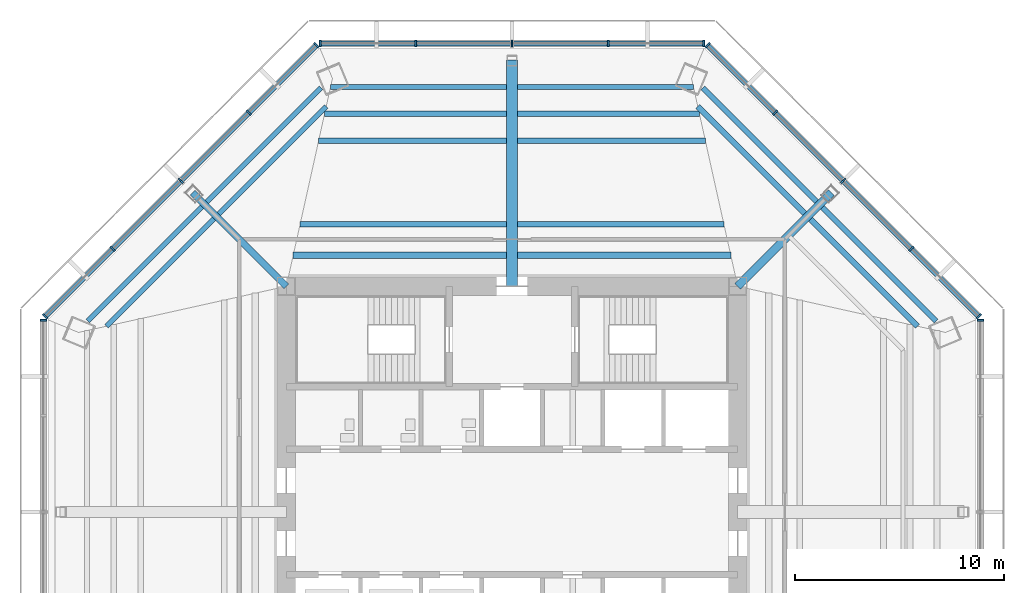
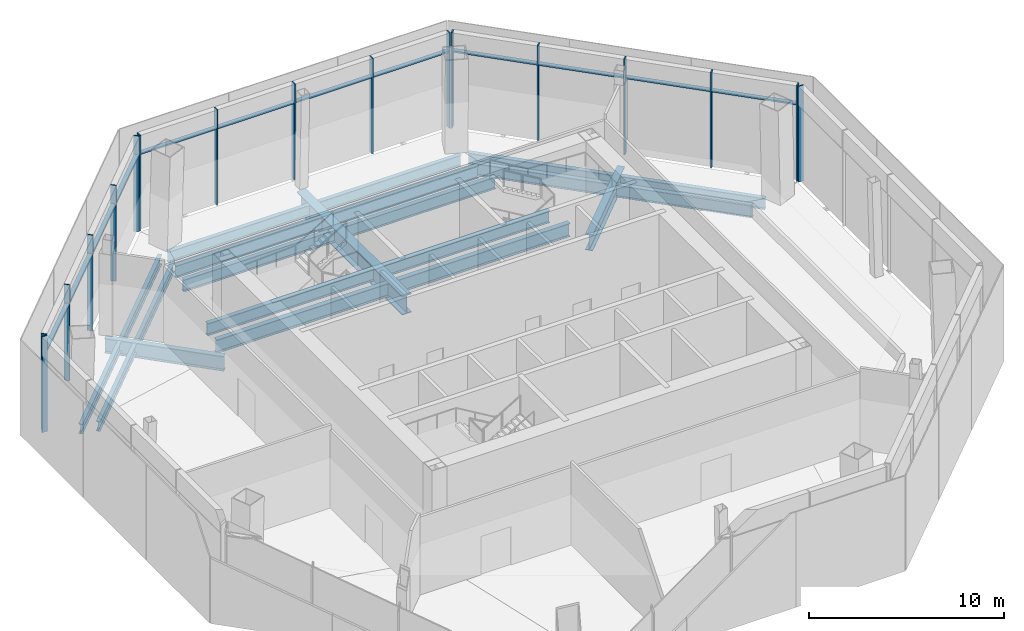
# One storey, part 4 of 13: 29 members, 21 beams, 5 elements without a shape of their own.
"""IFC4 building model written with IfcOpenShell, lengths in metres."""

from ifc_helpers import new_model, si_unit, direction, frame, origin, origin_2d, place, context, subcontext, project, spatial, rectangle, i_section, extrude, source, transform, mapped, material, material_profile, profile_set, type_object, type_shapes, element, aggregate, save


model = new_model("IFC4")

# Units and contexts
model_context = context("Model", 3, precision=1e-05, world=origin(), true_north=direction((0.0, 1.0)))
body_context = subcontext(model_context, "Body", "Model", "MODEL_VIEW")
ifc_project = project(units=[si_unit("LENGTHUNIT", "METRE"), si_unit("AREAUNIT", "SQUARE_METRE"), si_unit("VOLUMEUNIT", "CUBIC_METRE"), si_unit("PLANEANGLEUNIT", "RADIAN"), si_unit("MASSUNIT", "GRAM", prefix="KILO")], contexts=[model_context])

# Site, building, storey
site_placement = place(None, origin())
site = spatial("IfcSite", under=ifc_project, at=site_placement, CompositionType="ELEMENT")
building_placement = place(site_placement, origin())
building = spatial("IfcBuilding", under=site, at=building_placement, Name="Mashrafa Tower", CompositionType="ELEMENT")
storey_placement = place(building_placement, frame((0.0, 0.0, 198.0)))
storey = spatial("IfcBuildingStorey", under=building, at=storey_placement, Name="L45", CompositionType="ELEMENT", Elevation=198.0)

# Beams
ifc_material_1 = material(Name="Steel ASTM A572 Gr 50", Category="steel")
ifc_material_profile_1 = material_profile(ifc_material_1, i_section(OverallWidth=0.550048828125, OverallDepth=1.199951171875, WebThickness=0.02490234375, FlangeThickness=0.06005859375, at=origin_2d()), Name="H1200X550X25X60")
ifc_profile_set_1 = profile_set([ifc_material_profile_1], Name="Steel ASTM A572 Gr 50")
beam_type_1 = type_object("IfcBeamType", Name="Beam H1200X550X25X60", PredefinedType="BEAM", material=ifc_profile_set_1)
beam_1_placement = place(storey_placement, frame((0.0, 10.800048828125, -0.85009765625), z_axis=(0.0, 1.0, 0.0), x_axis=(-1.0, 0.0, 0.0)))
element("IfcBeam", 1, at=beam_1_placement, inside=storey, type_object=beam_type_1, Name="Radial girder L45 061", PredefinedType="BEAM", context=body_context, shape_type="SweptSolid", body=[
    extrude(i_section(OverallWidth=0.550048828125, OverallDepth=1.199951171875, WebThickness=0.02490234375, FlangeThickness=0.06005859375, at=origin_2d()), origin(), (0.0, 0.0, 1.0), 10.820556640625),
])
ifc_material_2 = material(Name="Steel ASTM A992", Category="steel")
ifc_material_profile_2 = material_profile(ifc_material_2, i_section(OverallWidth=0.228271484375, OverallDepth=0.607177734375, WebThickness=0.01123046875, FlangeThickness=0.017333984375, FilletRadius=0.0126953125, at=origin_2d()), Name="W24X76")
ifc_profile_set_2 = profile_set([ifc_material_profile_2], Name="Steel ASTM A992")
beam_type_2 = type_object("IfcBeamType", Name="Beam W24X76", PredefinedType="BEAM", material=ifc_profile_set_2)
for number, where, z_axis, x_axis, name in (
    (2, (-19.4072265625, 8.88818359375, -0.553466796875), (0.707090022918, 0.707123539058, 0.0), (-0.707123539058, 0.707090022918, 0.0), "Floor beam L45 004"),
    (3, (-14.0390625, 14.256591796875, -0.553466796875), (0.707123539058, 0.707090022918, 0.0), (-0.707090022918, 0.707123539058, 0.0), "Floor beam L45 012"),
):
    element("IfcBeam", number, at=place(storey_placement, frame(where, z_axis=z_axis, x_axis=x_axis)), inside=storey, type_object=beam_type_2, Name=name, PredefinedType="BEAM", context=body_context, shape_type="SweptSolid", body=[
        extrude(i_section(OverallWidth=0.228271484375, OverallDepth=0.607177734375, WebThickness=0.01123046875, FlangeThickness=0.017333984375, FilletRadius=0.0126953125, at=origin_2d()), origin(), (0.0, 0.0, 1.0), 7.2841796875),
    ])
ifc_material_3 = material(Name="Steel ASTM A992", Category="steel")
ifc_material_profile_3 = material_profile(ifc_material_3, i_section(OverallWidth=0.22900390625, OverallDepth=0.612060546875, WebThickness=0.011962890625, FlangeThickness=0.01953125, FilletRadius=0.0126953125, at=origin_2d()), Name="W24X84")
ifc_profile_set_3 = profile_set([ifc_material_profile_3], Name="Steel ASTM A992")
beam_type_3 = type_object("IfcBeamType", Name="Beam W24X84", PredefinedType="BEAM", material=ifc_profile_set_3)
for number, where, z_axis, x_axis, name in (
    (4, (-20.2958984375, 9.14013671875, -0.55615234375), (0.707122563587, 0.707090998434, 0.0), (-0.707090998434, 0.707122563587, 0.0), "Floor beam L45 003"),
    (5, (-14.609130859375, 14.82666015625, -0.55615234375), (0.707090998434, 0.707122563587, 0.0), (-0.707122563587, 0.707090998434, 0.0), "Floor beam L45 010"),
):
    element("IfcBeam", number, at=place(storey_placement, frame(where, z_axis=z_axis, x_axis=x_axis)), inside=storey, type_object=beam_type_3, Name=name, PredefinedType="BEAM", context=body_context, shape_type="SweptSolid", body=[
        extrude(i_section(OverallWidth=0.22900390625, OverallDepth=0.612060546875, WebThickness=0.011962890625, FlangeThickness=0.01953125, FilletRadius=0.0126953125, at=origin_2d()), origin(), (0.0, 0.0, 1.0), 7.734619140625),
    ])
ifc_material_4 = material(Name="Steel ASTM A992", Category="steel")
ifc_material_profile_4 = material_profile(ifc_material_4, i_section(OverallWidth=0.256591796875, OverallDepth=0.693359375, WebThickness=0.014404296875, FlangeThickness=0.023681640625, FilletRadius=0.01513671875, at=origin_2d()), Name="W27X114")
ifc_profile_set_4 = profile_set([ifc_material_profile_4], Name="Steel ASTM A992")
beam_type_4 = type_object("IfcBeamType", Name="Beam W27X114", PredefinedType="BEAM", material=ifc_profile_set_4)
for number, where, z_axis, x_axis, name in (
    (6, (9.14013671875, 20.2958984375, -0.5966796875), (0.70709090203, -0.707122659987, 0.0), (0.707122659987, 0.70709090203, 0.0), "Floor beam L45 037"),
    (7, (14.85986328125, 14.575927734375, -0.5966796875), (0.707122659987, -0.70709090203, 0.0), (0.70709090203, 0.707122659987, 0.0), "Floor beam L45 048"),
):
    element("IfcBeam", number, at=place(storey_placement, frame(where, z_axis=z_axis, x_axis=x_axis)), inside=storey, type_object=beam_type_4, Name=name, PredefinedType="BEAM", context=body_context, shape_type="SweptSolid", body=[
        extrude(i_section(OverallWidth=0.256591796875, OverallDepth=0.693359375, WebThickness=0.014404296875, FlangeThickness=0.023681640625, FilletRadius=0.01513671875, at=origin_2d()), origin(), (0.0, 0.0, 1.0), 7.6875),
    ])
ifc_material_5 = material(Name="Steel ASTM A992", Category="steel")
ifc_material_profile_5 = material_profile(ifc_material_5, i_section(OverallWidth=0.25390625, OverallDepth=0.683349609375, WebThickness=0.012451171875, FlangeThickness=0.01904296875, FilletRadius=0.01513671875, at=origin_2d()), Name="W27X94")
ifc_profile_set_5 = profile_set([ifc_material_profile_5], Name="Steel ASTM A992")
beam_type_5 = type_object("IfcBeamType", Name="Beam W27X94", PredefinedType="BEAM", material=ifc_profile_set_5)
for number, where, z_axis, x_axis, name in (
    (8, (-8.681640625, 20.33740234375, -0.591552734375), (1.0, 0.0, 0.0), (0.0, 1.0, 0.0), "Floor beam L45 023"),
    (9, (0.27490234375, 20.33740234375, -0.591552734375), (1.0, 0.0, 0.0), (0.0, 1.0, 0.0), "Floor beam L45 033"),
):
    element("IfcBeam", number, at=place(storey_placement, frame(where, z_axis=z_axis, x_axis=x_axis)), inside=storey, type_object=beam_type_5, Name=name, PredefinedType="BEAM", context=body_context, shape_type="SweptSolid", body=[
        extrude(i_section(OverallWidth=0.25390625, OverallDepth=0.683349609375, WebThickness=0.012451171875, FlangeThickness=0.01904296875, FilletRadius=0.01513671875, at=origin_2d()), origin(), (0.0, 0.0, 1.0), 8.40673828125),
    ])
ifc_material_6 = material(Name="Steel ASTM A992", Category="steel")
ifc_material_profile_6 = material_profile(ifc_material_6, i_section(OverallWidth=0.2666015625, OverallDepth=0.761962890625, WebThickness=0.014404296875, FlangeThickness=0.021484375, FilletRadius=0.0166015625, at=origin_2d()), Name="W30X116")
ifc_profile_set_6 = profile_set([ifc_material_profile_6], Name="Steel ASTM A992")
beam_type_6 = type_object("IfcBeamType", Name="Beam W30X116", PredefinedType="BEAM", material=ifc_profile_set_6)
for number, where, z_axis, x_axis, name in (
    (10, (-10.14013671875, 13.77099609375, -0.631103515625), (1.0, 0.0, 0.0), (0.0, 1.0, 0.0), "Floor beam L45 018"),
    (11, (0.27490234375, 13.77099609375, -0.631103515625), (1.0, 0.0, 0.0), (0.0, 1.0, 0.0), "Floor beam L45 030"),
):
    element("IfcBeam", number, at=place(storey_placement, frame(where, z_axis=z_axis, x_axis=x_axis)), inside=storey, type_object=beam_type_6, Name=name, PredefinedType="BEAM", context=body_context, shape_type="SweptSolid", body=[
        extrude(i_section(OverallWidth=0.2666015625, OverallDepth=0.761962890625, WebThickness=0.014404296875, FlangeThickness=0.021484375, FilletRadius=0.0166015625, at=origin_2d()), origin(), (0.0, 0.0, 1.0), 9.865234375),
    ])
ifc_material_7 = material(Name="Steel ASTM A992", Category="steel")
ifc_material_profile_7 = material_profile(ifc_material_7, i_section(OverallWidth=0.2666015625, OverallDepth=0.75439453125, WebThickness=0.01318359375, FlangeThickness=0.01708984375, FilletRadius=0.0166015625, at=origin_2d()), Name="W30X99")
ifc_profile_set_7 = profile_set([ifc_material_profile_7], Name="Steel ASTM A992")
beam_type_7 = type_object("IfcBeamType", Name="Beam W30X99", PredefinedType="BEAM", material=ifc_profile_set_7)
beam_2_placement = place(storey_placement, frame((-9.251708984375, 17.77099609375, -0.627197265625), z_axis=(1.0, 0.0, 0.0), x_axis=(0.0, 1.0, 0.0)))
element("IfcBeam", 12, at=beam_2_placement, inside=storey, type_object=beam_type_7, Name="Floor beam L45 019", PredefinedType="BEAM", context=body_context, shape_type="SweptSolid", body=[
    extrude(i_section(OverallWidth=0.2666015625, OverallDepth=0.75439453125, WebThickness=0.01318359375, FlangeThickness=0.01708984375, FilletRadius=0.0166015625, at=origin_2d()), origin(), (0.0, 0.0, 1.0), 8.976806640625),
])
beam_3_placement = place(storey_placement, frame((-8.966796875, 19.05419921875, -0.627197265625), z_axis=(1.0, 0.0, 0.0), x_axis=(0.0, 1.0, 0.0)))
element("IfcBeam", 13, at=beam_3_placement, inside=storey, type_object=beam_type_7, Name="Floor beam L45 021", PredefinedType="BEAM", context=body_context, shape_type="SweptSolid", body=[
    extrude(i_section(OverallWidth=0.2666015625, OverallDepth=0.75439453125, WebThickness=0.01318359375, FlangeThickness=0.01708984375, FilletRadius=0.0166015625, at=origin_2d()), origin(), (0.0, 0.0, 1.0), 8.69189453125),
])
beam_4_placement = place(storey_placement, frame((0.27490234375, 17.77099609375, -0.627197265625), z_axis=(1.0, 0.0, 0.0), x_axis=(0.0, 1.0, 0.0)))
element("IfcBeam", 14, at=beam_4_placement, inside=storey, type_object=beam_type_7, Name="Floor beam L45 031", PredefinedType="BEAM", context=body_context, shape_type="SweptSolid", body=[
    extrude(i_section(OverallWidth=0.2666015625, OverallDepth=0.75439453125, WebThickness=0.01318359375, FlangeThickness=0.01708984375, FilletRadius=0.0166015625, at=origin_2d()), origin(), (0.0, 0.0, 1.0), 8.976806640625),
])
beam_5_placement = place(storey_placement, frame((0.27490234375, 19.05419921875, -0.627197265625), z_axis=(1.0, 0.0, 0.0), x_axis=(0.0, 1.0, 0.0)))
element("IfcBeam", 15, at=beam_5_placement, inside=storey, type_object=beam_type_7, Name="Floor beam L45 032", PredefinedType="BEAM", context=body_context, shape_type="SweptSolid", body=[
    extrude(i_section(OverallWidth=0.2666015625, OverallDepth=0.75439453125, WebThickness=0.01318359375, FlangeThickness=0.01708984375, FilletRadius=0.0166015625, at=origin_2d()), origin(), (0.0, 0.0, 1.0), 8.69189453125),
])
for number, where, z_axis, x_axis, name in (
    (16, (8.88818359375, 19.4072265625, -0.627197265625), (0.707123647784, -0.707089914187, 0.0), (0.707089914187, 0.707123647784, 0.0), "Floor beam L45 035"),
    (17, (14.289794921875, 14.005859375, -0.627197265625), (0.707089914187, -0.707123647784, 0.0), (0.707123647784, 0.707089914187, 0.0), "Floor beam L45 046"),
):
    element("IfcBeam", number, at=place(storey_placement, frame(where, z_axis=z_axis, x_axis=x_axis)), inside=storey, type_object=beam_type_7, Name=name, PredefinedType="BEAM", context=body_context, shape_type="SweptSolid", body=[
        extrude(i_section(OverallWidth=0.2666015625, OverallDepth=0.75439453125, WebThickness=0.01318359375, FlangeThickness=0.01708984375, FilletRadius=0.0166015625, at=origin_2d()), origin(), (0.0, 0.0, 1.0), 7.2373046875),
    ])
ifc_material_8 = material(Name="Steel ASTM A992", Category="steel")
ifc_material_profile_8 = material_profile(ifc_material_8, i_section(OverallWidth=0.2919921875, OverallDepth=0.8408203125, WebThickness=0.0146484375, FlangeThickness=0.021728515625, FilletRadius=0.017333984375, at=origin_2d()), Name="W33X130")
ifc_profile_set_8 = profile_set([ifc_material_profile_8], Name="Steel ASTM A992")
beam_type_8 = type_object("IfcBeamType", Name="Beam W33X130", PredefinedType="BEAM", material=ifc_profile_set_8)
for number, where, z_axis, x_axis, name in (
    (18, (-10.47021484375, 12.285400390625, -0.67041015625), (1.0, 0.0, 0.0), (0.0, 1.0, 0.0), "Floor beam L45 017"),
    (19, (0.27490234375, 12.285400390625, -0.67041015625), (1.0, 0.0, 0.0), (0.0, 1.0, 0.0), "Floor beam L45 029"),
):
    element("IfcBeam", number, at=place(storey_placement, frame(where, z_axis=z_axis, x_axis=x_axis)), inside=storey, type_object=beam_type_8, Name=name, PredefinedType="BEAM", context=body_context, shape_type="SweptSolid", body=[
        extrude(i_section(OverallWidth=0.2919921875, OverallDepth=0.8408203125, WebThickness=0.0146484375, FlangeThickness=0.021728515625, FilletRadius=0.017333984375, at=origin_2d()), origin(), (0.0, 0.0, 1.0), 10.1953125),
    ])
ifc_material_9 = material(Name="Steel ASTM A992", Category="steel")
ifc_material_profile_9 = material_profile(ifc_material_9, i_section(OverallWidth=0.307373046875, OverallDepth=0.927001953125, WebThickness=0.01953125, FlangeThickness=0.031982421875, FilletRadius=0.01904296875, at=origin_2d()), Name="W36X194")
ifc_profile_set_9 = profile_set([ifc_material_profile_9], Name="Steel ASTM A992")
beam_type_9 = type_object("IfcBeamType", Name="Beam W36X194", PredefinedType="BEAM", material=ifc_profile_set_9)
beam_6_placement = place(storey_placement, frame((-10.800048828125, 10.800048828125, -0.713623046875), z_axis=(-0.707106781187, 0.707106781187, 0.0), x_axis=(-0.707106781187, -0.707106781187, 0.0)))
element("IfcBeam", 20, at=beam_6_placement, inside=storey, type_object=beam_type_9, Name="Radial girder L45 059", PredefinedType="BEAM", context=body_context, shape_type="SweptSolid", body=[
    extrude(i_section(OverallWidth=0.307373046875, OverallDepth=0.927001953125, WebThickness=0.01953125, FlangeThickness=0.031982421875, FilletRadius=0.01904296875, at=origin_2d()), origin(), (0.0, 0.0, 1.0), 6.346923828125),
])
ifc_material_10 = material(Name="Steel ASTM A992", Category="steel")
ifc_material_profile_10 = material_profile(ifc_material_10, i_section(OverallWidth=0.4013671875, OverallDepth=1.010986328125, WebThickness=0.023681640625, FlangeThickness=0.0419921875, FilletRadius=0.02001953125, at=origin_2d()), Name="W40X297")
ifc_profile_set_10 = profile_set([ifc_material_profile_10], Name="Steel ASTM A992")
beam_type_10 = type_object("IfcBeamType", Name="Beam W40X297", PredefinedType="BEAM", material=ifc_profile_set_10)
beam_7_placement = place(storey_placement, frame((10.800048828125, 10.800048828125, -0.75537109375), z_axis=(0.707106781187, 0.707106781187, 0.0), x_axis=(-0.707106781187, 0.707106781187, 0.0)))
element("IfcBeam", 21, at=beam_7_placement, inside=storey, type_object=beam_type_10, Name="Radial girder L45 064", PredefinedType="BEAM", context=body_context, shape_type="SweptSolid", body=[
    extrude(i_section(OverallWidth=0.4013671875, OverallDepth=1.010986328125, WebThickness=0.023681640625, FlangeThickness=0.0419921875, FilletRadius=0.02001953125, at=origin_2d()), origin(), (0.0, 0.0, 1.0), 6.346923828125),
])

# Curtain wall, member
ifc_material_11 = material(Name="Unitised aluminium curtain wall", Category="aluminium")
curtain_wall_type = type_object("IfcCurtainWallType", Name="Sky garden curtain wall CW-E 300 deep", PredefinedType="NOTDEFINED", material=ifc_material_11)
curtain_wall_1_placement = place(storey_placement, origin())
curtain_wall_1 = element("IfcCurtainWall", 22, at=curtain_wall_1_placement, inside=storey, type_object=curtain_wall_type, Name="Sky garden curtain wall L45 east", PredefinedType="NOTDEFINED")
ifc_material_12 = material(Name="Extruded aluminium mullion", Category="aluminium")
ifc_material_profile_11 = material_profile(ifc_material_12, rectangle(XDim=0.300048828125, YDim=0.074951171875, at=origin_2d()), Name="Mullion 75x300")
ifc_profile_set_11 = profile_set([ifc_material_profile_11], Name="Extruded aluminium mullion")
member_type_1 = type_object("IfcMemberType", Name="Mullion CW-E 75 x 300", PredefinedType="MULLION", material=ifc_profile_set_11)
shared_shape_1 = source(origin(), body_context, "Body", "SweptSolid", [
    extrude(rectangle(XDim=0.300048828125, YDim=0.074951171875, at=origin_2d()), origin(), (0.0, 0.0, 1.0), 6.0),
])
type_shapes(member_type_1, [shared_shape_1])
member_1_placement = place(storey_placement, frame((22.41357421875, 9.17431640625, 0.0), z_axis=(0.0, 0.0, 1.0), x_axis=(-1.0, 0.0, 0.0)))
member_1 = element("IfcMember", 23, at=member_1_placement, type_object=member_type_1, Name="CW-E mullion 5", PredefinedType="MULLION", context=body_context, shape_type="MappedRepresentation", body=[
    mapped(shared_shape_1, transform((0.0, 0.0, 0.0))),
])
aggregate(curtain_wall_1, [member_1])

# Curtain wall, members
curtain_wall_2_placement = place(storey_placement, origin())
curtain_wall_2 = element("IfcCurtainWall", 24, at=curtain_wall_2_placement, inside=storey, type_object=curtain_wall_type, Name="Sky garden curtain wall L45 north-east", PredefinedType="NOTDEFINED")
member_2_placement = place(storey_placement, frame((22.3359375, 9.361572265625, 0.0), z_axis=(0.0, 0.0, 1.0), x_axis=(-0.707106781187, -0.707106781187, 0.0)))
member_2 = element("IfcMember", 25, at=member_2_placement, type_object=member_type_1, Name="CW-E mullion 1", PredefinedType="MULLION", context=body_context, shape_type="MappedRepresentation", body=[
    mapped(shared_shape_1, transform((0.0, 0.0, 0.0))),
])
member_3_placement = place(storey_placement, frame((19.105712890625, 12.591796875, 0.0), z_axis=(0.0, 0.0, 1.0), x_axis=(-0.707106781187, -0.707106781187, 0.0)))
member_3 = element("IfcMember", 26, at=member_3_placement, type_object=member_type_1, Name="CW-E mullion 2", PredefinedType="MULLION", context=body_context, shape_type="MappedRepresentation", body=[
    mapped(shared_shape_1, transform((0.0, 0.0, 0.0))),
])
member_4_placement = place(storey_placement, frame((15.848876953125, 15.848876953125, 0.0), z_axis=(0.0, 0.0, 1.0), x_axis=(-0.707106781187, -0.707106781187, 0.0)))
member_4 = element("IfcMember", 27, at=member_4_placement, type_object=member_type_1, Name="CW-E mullion 3", PredefinedType="MULLION", context=body_context, shape_type="MappedRepresentation", body=[
    mapped(shared_shape_1, transform((0.0, 0.0, 0.0))),
])
member_5_placement = place(storey_placement, frame((12.591796875, 19.105712890625, 0.0), z_axis=(0.0, 0.0, 1.0), x_axis=(-0.707106781187, -0.707106781187, 0.0)))
member_5 = element("IfcMember", 28, at=member_5_placement, type_object=member_type_1, Name="CW-E mullion 4", PredefinedType="MULLION", context=body_context, shape_type="MappedRepresentation", body=[
    mapped(shared_shape_1, transform((0.0, 0.0, 0.0))),
])
member_6_placement = place(storey_placement, frame((9.361572265625, 22.3359375, 0.0), z_axis=(0.0, 0.0, 1.0), x_axis=(-0.707106781187, -0.707106781187, 0.0)))
member_6 = element("IfcMember", 29, at=member_6_placement, type_object=member_type_1, Name="CW-E mullion 5", PredefinedType="MULLION", context=body_context, shape_type="MappedRepresentation", body=[
    mapped(shared_shape_1, transform((0.0, 0.0, 0.0))),
])

curtain_wall_3_placement = place(storey_placement, origin())
curtain_wall_3 = element("IfcCurtainWall", 30, at=curtain_wall_3_placement, inside=storey, type_object=curtain_wall_type, Name="Sky garden curtain wall L45 north", PredefinedType="NOTDEFINED")
member_7_placement = place(storey_placement, frame((9.17431640625, 22.41357421875, 0.0), z_axis=(0.0, 0.0, 1.0), x_axis=(0.0, -1.0, 0.0)))
member_7 = element("IfcMember", 31, at=member_7_placement, type_object=member_type_1, Name="CW-E mullion 1", PredefinedType="MULLION", context=body_context, shape_type="MappedRepresentation", body=[
    mapped(shared_shape_1, transform((0.0, 0.0, 0.0))),
])
member_8_placement = place(storey_placement, frame((4.60595703125, 22.41357421875, 0.0), z_axis=(0.0, 0.0, 1.0), x_axis=(0.0, -1.0, 0.0)))
member_8 = element("IfcMember", 32, at=member_8_placement, type_object=member_type_1, Name="CW-E mullion 2", PredefinedType="MULLION", context=body_context, shape_type="MappedRepresentation", body=[
    mapped(shared_shape_1, transform((0.0, 0.0, 0.0))),
])
member_9_placement = place(storey_placement, frame((0.0, 22.41357421875, 0.0), z_axis=(0.0, 0.0, 1.0), x_axis=(0.0, -1.0, 0.0)))
member_9 = element("IfcMember", 33, at=member_9_placement, type_object=member_type_1, Name="CW-E mullion 3", PredefinedType="MULLION", context=body_context, shape_type="MappedRepresentation", body=[
    mapped(shared_shape_1, transform((0.0, 0.0, 0.0))),
])
member_10_placement = place(storey_placement, frame((-4.60595703125, 22.41357421875, 0.0), z_axis=(0.0, 0.0, 1.0), x_axis=(0.0, -1.0, 0.0)))
member_10 = element("IfcMember", 34, at=member_10_placement, type_object=member_type_1, Name="CW-E mullion 4", PredefinedType="MULLION", context=body_context, shape_type="MappedRepresentation", body=[
    mapped(shared_shape_1, transform((0.0, 0.0, 0.0))),
])
member_11_placement = place(storey_placement, frame((-9.17431640625, 22.41357421875, 0.0), z_axis=(0.0, 0.0, 1.0), x_axis=(0.0, -1.0, 0.0)))
member_11 = element("IfcMember", 35, at=member_11_placement, type_object=member_type_1, Name="CW-E mullion 5", PredefinedType="MULLION", context=body_context, shape_type="MappedRepresentation", body=[
    mapped(shared_shape_1, transform((0.0, 0.0, 0.0))),
])

curtain_wall_4_placement = place(storey_placement, origin())
curtain_wall_4 = element("IfcCurtainWall", 36, at=curtain_wall_4_placement, inside=storey, type_object=curtain_wall_type, Name="Sky garden curtain wall L45 north-west", PredefinedType="NOTDEFINED")
member_12_placement = place(storey_placement, frame((-9.361572265625, 22.3359375, 0.0), z_axis=(0.0, 0.0, 1.0), x_axis=(0.707106781187, -0.707106781187, 0.0)))
member_12 = element("IfcMember", 37, at=member_12_placement, type_object=member_type_1, Name="CW-E mullion 1", PredefinedType="MULLION", context=body_context, shape_type="MappedRepresentation", body=[
    mapped(shared_shape_1, transform((0.0, 0.0, 0.0))),
])
member_13_placement = place(storey_placement, frame((-12.591796875, 19.105712890625, 0.0), z_axis=(0.0, 0.0, 1.0), x_axis=(0.707106781187, -0.707106781187, 0.0)))
member_13 = element("IfcMember", 38, at=member_13_placement, type_object=member_type_1, Name="CW-E mullion 2", PredefinedType="MULLION", context=body_context, shape_type="MappedRepresentation", body=[
    mapped(shared_shape_1, transform((0.0, 0.0, 0.0))),
])
member_14_placement = place(storey_placement, frame((-15.848876953125, 15.848876953125, 0.0), z_axis=(0.0, 0.0, 1.0), x_axis=(0.707106781187, -0.707106781187, 0.0)))
member_14 = element("IfcMember", 39, at=member_14_placement, type_object=member_type_1, Name="CW-E mullion 3", PredefinedType="MULLION", context=body_context, shape_type="MappedRepresentation", body=[
    mapped(shared_shape_1, transform((0.0, 0.0, 0.0))),
])
member_15_placement = place(storey_placement, frame((-19.105712890625, 12.591796875, 0.0), z_axis=(0.0, 0.0, 1.0), x_axis=(0.707106781187, -0.707106781187, 0.0)))
member_15 = element("IfcMember", 40, at=member_15_placement, type_object=member_type_1, Name="CW-E mullion 4", PredefinedType="MULLION", context=body_context, shape_type="MappedRepresentation", body=[
    mapped(shared_shape_1, transform((0.0, 0.0, 0.0))),
])
member_16_placement = place(storey_placement, frame((-22.3359375, 9.361572265625, 0.0), z_axis=(0.0, 0.0, 1.0), x_axis=(0.707106781187, -0.707106781187, 0.0)))
member_16 = element("IfcMember", 41, at=member_16_placement, type_object=member_type_1, Name="CW-E mullion 5", PredefinedType="MULLION", context=body_context, shape_type="MappedRepresentation", body=[
    mapped(shared_shape_1, transform((0.0, 0.0, 0.0))),
])

# Curtain wall, member
curtain_wall_5_placement = place(storey_placement, origin())
curtain_wall_5 = element("IfcCurtainWall", 42, at=curtain_wall_5_placement, inside=storey, type_object=curtain_wall_type, Name="Sky garden curtain wall L45 west", PredefinedType="NOTDEFINED")
member_17_placement = place(storey_placement, frame((-22.41357421875, 9.17431640625, 0.0), z_axis=(0.0, 0.0, 1.0), x_axis=(1.0, 0.0, 0.0)))
member_17 = element("IfcMember", 43, at=member_17_placement, type_object=member_type_1, Name="CW-E mullion 1", PredefinedType="MULLION", context=body_context, shape_type="MappedRepresentation", body=[
    mapped(shared_shape_1, transform((0.0, 0.0, 0.0))),
])
aggregate(curtain_wall_5, [member_17])

# Member
ifc_material_13 = material(Name="Extruded aluminium transom", Category="aluminium")
ifc_material_profile_12 = material_profile(ifc_material_13, rectangle(XDim=0.239990234375, YDim=0.10009765625, at=origin_2d()), Name="Transom 100x240")
ifc_profile_set_12 = profile_set([ifc_material_profile_12], Name="Extruded aluminium transom")
member_type_2 = type_object("IfcMemberType", Name="Transom CW-E 100 x 240", PredefinedType="MULLION", material=ifc_profile_set_12)
shared_shape_2 = source(origin(), body_context, "Body", "SweptSolid", [
    extrude(rectangle(XDim=0.239990234375, YDim=0.10009765625, at=origin_2d()), origin(), (0.0, 0.0, 1.0), 4.493408203125),
])
member_18_placement = place(storey_placement, frame((9.136962890625, 22.41357421875, 4.800048828125), z_axis=(-1.0, 0.0, 0.0), x_axis=(0.0, -1.0, 0.0)))
member_18 = element("IfcMember", 44, at=member_18_placement, type_object=member_type_2, Name="CW-E transom 1", PredefinedType="MULLION", context=body_context, shape_type="MappedRepresentation", body=[
    mapped(shared_shape_2, transform((0.0, 0.0, 0.0))),
])

member_19_placement = place(storey_placement, frame((-4.6435546875, 22.41357421875, 4.800048828125), z_axis=(-1.0, 0.0, 0.0), x_axis=(0.0, -1.0, 0.0)))
member_19 = element("IfcMember", 45, at=member_19_placement, type_object=member_type_2, Name="CW-E transom 4", PredefinedType="MULLION", context=body_context, shape_type="MappedRepresentation", body=[
    mapped(shared_shape_2, transform((0.0, 0.0, 0.0))),
])

shared_shape_3 = source(origin(), body_context, "Body", "SweptSolid", [
    extrude(rectangle(XDim=0.239990234375, YDim=0.10009765625, at=origin_2d()), origin(), (0.0, 0.0, 1.0), 4.53076171875),
])
member_20_placement = place(storey_placement, frame((4.568359375, 22.41357421875, 4.800048828125), z_axis=(-1.0, 0.0, 0.0), x_axis=(0.0, -1.0, 0.0)))
member_20 = element("IfcMember", 46, at=member_20_placement, type_object=member_type_2, Name="CW-E transom 2", PredefinedType="MULLION", context=body_context, shape_type="MappedRepresentation", body=[
    mapped(shared_shape_3, transform((0.0, 0.0, 0.0))),
])

member_21_placement = place(storey_placement, frame((-0.03759765625, 22.41357421875, 4.800048828125), z_axis=(-1.0, 0.0, 0.0), x_axis=(0.0, -1.0, 0.0)))
member_21 = element("IfcMember", 47, at=member_21_placement, type_object=member_type_2, Name="CW-E transom 3", PredefinedType="MULLION", context=body_context, shape_type="MappedRepresentation", body=[
    mapped(shared_shape_3, transform((0.0, 0.0, 0.0))),
])

aggregate(curtain_wall_3, [member_7, member_8, member_9, member_10, member_11, member_18, member_20, member_21, member_19])

shared_shape_4 = source(origin(), body_context, "Body", "SweptSolid", [
    extrude(rectangle(XDim=0.239990234375, YDim=0.10009765625, at=origin_2d()), origin(), (0.0, 0.0, 1.0), 4.49365234375),
])
member_22_placement = place(storey_placement, frame((22.3095703125, 9.387939453125, 4.800048828125), z_axis=(-0.707106781187, 0.707106781187, 0.0), x_axis=(-0.707106781187, -0.707106781187, 0.0)))
member_22 = element("IfcMember", 48, at=member_22_placement, type_object=member_type_2, Name="CW-E transom 1", PredefinedType="MULLION", context=body_context, shape_type="MappedRepresentation", body=[
    mapped(shared_shape_4, transform((0.0, 0.0, 0.0))),
])

member_23_placement = place(storey_placement, frame((12.5654296875, 19.132080078125, 4.800048828125), z_axis=(-0.707106781187, 0.707106781187, 0.0), x_axis=(-0.707106781187, -0.707106781187, 0.0)))
member_23 = element("IfcMember", 49, at=member_23_placement, type_object=member_type_2, Name="CW-E transom 4", PredefinedType="MULLION", context=body_context, shape_type="MappedRepresentation", body=[
    mapped(shared_shape_4, transform((0.0, 0.0, 0.0))),
])

member_24_placement = place(storey_placement, frame((-9.387939453125, 22.3095703125, 4.800048828125), z_axis=(-0.707106781187, -0.707106781187, 0.0), x_axis=(0.707106781187, -0.707106781187, 0.0)))
member_24 = element("IfcMember", 50, at=member_24_placement, type_object=member_type_2, Name="CW-E transom 1", PredefinedType="MULLION", context=body_context, shape_type="MappedRepresentation", body=[
    mapped(shared_shape_4, transform((0.0, 0.0, 0.0))),
])

member_25_placement = place(storey_placement, frame((-19.132080078125, 12.5654296875, 4.800048828125), z_axis=(-0.707106781187, -0.707106781187, 0.0), x_axis=(0.707106781187, -0.707106781187, 0.0)))
member_25 = element("IfcMember", 51, at=member_25_placement, type_object=member_type_2, Name="CW-E transom 4", PredefinedType="MULLION", context=body_context, shape_type="MappedRepresentation", body=[
    mapped(shared_shape_4, transform((0.0, 0.0, 0.0))),
])

shared_shape_5 = source(origin(), body_context, "Body", "SweptSolid", [
    extrude(rectangle(XDim=0.239990234375, YDim=0.10009765625, at=origin_2d()), origin(), (0.0, 0.0, 1.0), 4.531005859375),
])
type_shapes(member_type_2, [shared_shape_2, shared_shape_3, shared_shape_4, shared_shape_5])
member_26_placement = place(storey_placement, frame((19.0791015625, 12.618408203125, 4.800048828125), z_axis=(-0.707106781187, 0.707106781187, 0.0), x_axis=(-0.707106781187, -0.707106781187, 0.0)))
member_26 = element("IfcMember", 52, at=member_26_placement, type_object=member_type_2, Name="CW-E transom 2", PredefinedType="MULLION", context=body_context, shape_type="MappedRepresentation", body=[
    mapped(shared_shape_5, transform((0.0, 0.0, 0.0))),
])

member_27_placement = place(storey_placement, frame((15.822265625, 15.875244140625, 4.800048828125), z_axis=(-0.707106781187, 0.707106781187, 0.0), x_axis=(-0.707106781187, -0.707106781187, 0.0)))
member_27 = element("IfcMember", 53, at=member_27_placement, type_object=member_type_2, Name="CW-E transom 3", PredefinedType="MULLION", context=body_context, shape_type="MappedRepresentation", body=[
    mapped(shared_shape_5, transform((0.0, 0.0, 0.0))),
])

aggregate(curtain_wall_2, [member_2, member_3, member_4, member_5, member_6, member_22, member_26, member_27, member_23])

member_28_placement = place(storey_placement, frame((-12.618408203125, 19.0791015625, 4.800048828125), z_axis=(-0.707106781187, -0.707106781187, 0.0), x_axis=(0.707106781187, -0.707106781187, 0.0)))
member_28 = element("IfcMember", 54, at=member_28_placement, type_object=member_type_2, Name="CW-E transom 2", PredefinedType="MULLION", context=body_context, shape_type="MappedRepresentation", body=[
    mapped(shared_shape_5, transform((0.0, 0.0, 0.0))),
])

member_29_placement = place(storey_placement, frame((-15.875244140625, 15.822265625, 4.800048828125), z_axis=(-0.707106781187, -0.707106781187, 0.0), x_axis=(0.707106781187, -0.707106781187, 0.0)))
member_29 = element("IfcMember", 55, at=member_29_placement, type_object=member_type_2, Name="CW-E transom 3", PredefinedType="MULLION", context=body_context, shape_type="MappedRepresentation", body=[
    mapped(shared_shape_5, transform((0.0, 0.0, 0.0))),
])

aggregate(curtain_wall_4, [member_12, member_13, member_14, member_15, member_16, member_24, member_28, member_29, member_25])

save(model, "model.ifc")
